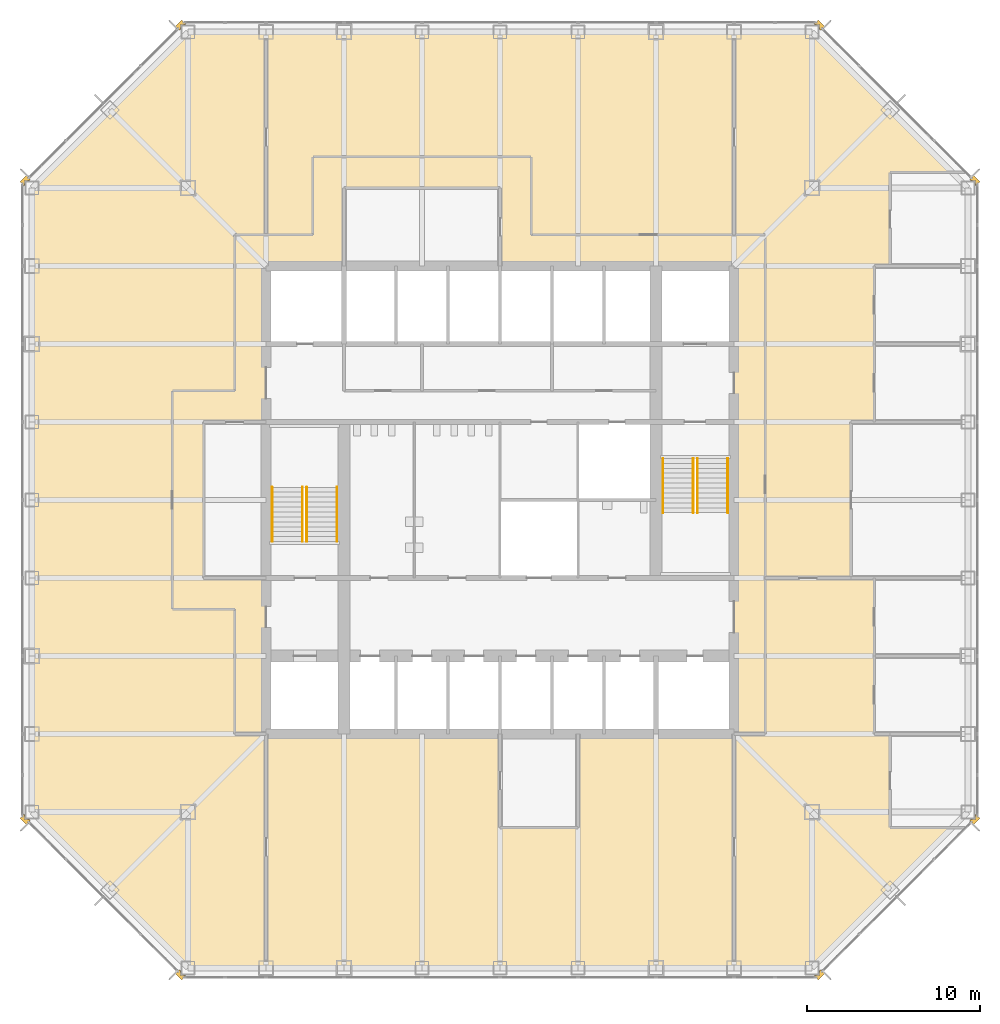
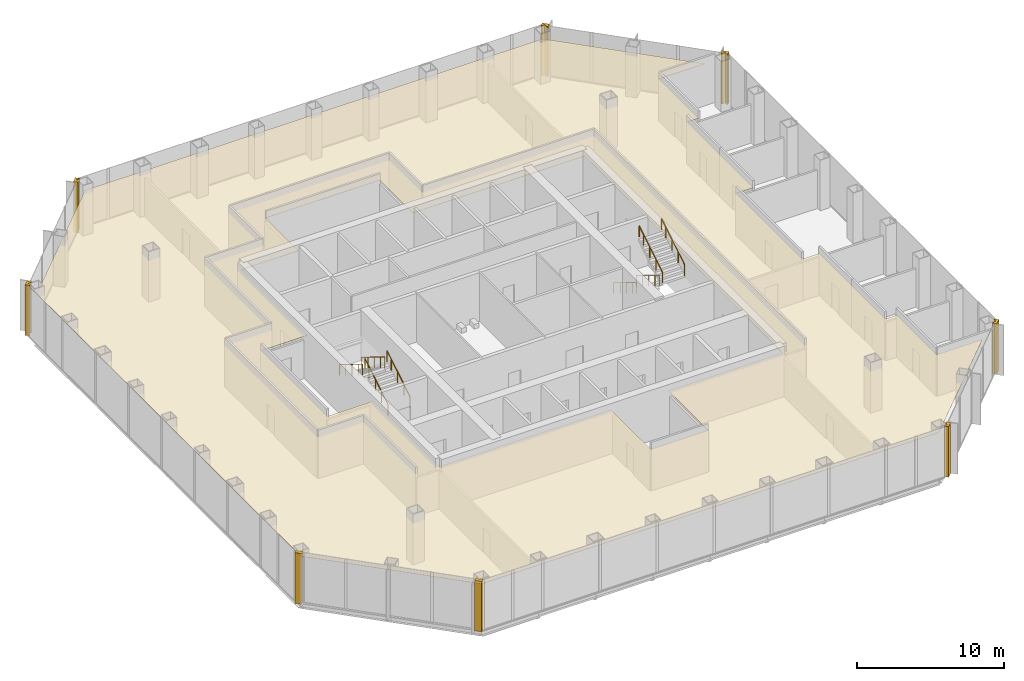
# One storey, part 11 of 12: 9 coverings, 8 railings.
"""IFC4 building model written with IfcOpenShell, lengths in metres."""

import ifcopenshell
import ifcopenshell.guid

model = None  # the IFC model being written
_history = None  # IfcOwnerHistory: only IFC2X3 demands one
_inside = {}  # id of a spatial element -> (the spatial element, [elements in it])
_under = {}  # id of a project, library or spatial element -> (it, [spatial elements below it])
_declared = {}  # id of a project -> (the project, [libraries it declares])
_typed = {}  # id of a type object -> (the type object, [elements of that type])
_made_of = {}  # id of a material, layer set ... -> (it, [elements and type objects made of it])


def new_model(schema):
    """Start an empty IFC model of exactly this schema.

    Asked for "IFC4X3", IfcOpenShell would pick the latest addendum, in which some entities
    have other attributes; the version numbers below select the first issue.
    IFC2X3 requires an IfcOwnerHistory on every rooted entity: one is made here for all.
    """
    global model, _history
    if schema == "IFC4X3":
        model = ifcopenshell.file(schema_version=(4, 3, 0, 0))
    else:
        model = ifcopenshell.file(schema=schema)
    _inside.clear()
    _under.clear()
    _declared.clear()
    _typed.clear()
    _made_of.clear()
    _history = None
    if model.schema == "IFC2X3":
        org = make("IfcOrganization", Name="unknown")
        user = make(
            "IfcPersonAndOrganization",
            ThePerson=make("IfcPerson", FamilyName="unknown"),
            TheOrganization=org,
        )
        app = make(
            "IfcApplication",
            ApplicationDeveloper=org,
            Version="unknown",
            ApplicationFullName="unknown",
            ApplicationIdentifier="unknown",
        )
        _history = make(
            "IfcOwnerHistory",
            OwningUser=user,
            OwningApplication=app,
            ChangeAction="ADDED",
            CreationDate=0,
        )
    return model


def make(cls, **values):
    """One entity of the class cls with the attributes given. An attribute that is None is left unset."""
    return model.create_entity(
        cls, **{name: value for name, value in values.items() if value is not None}
    )


def rooted(cls, **values):
    """An entity with a GlobalId (a new one), such as an element, a storey or a relation."""
    return make(cls, GlobalId=ifcopenshell.guid.new(), OwnerHistory=_history, **values)


def si_unit(unit_type, name, prefix=None):
    """IfcSIUnit, for example si_unit("LENGTHUNIT", "METRE", prefix="MILLI")."""
    return make("IfcSIUnit", UnitType=unit_type, Prefix=prefix, Name=name)


def assignment(units):
    """IfcUnitAssignment: the units of a project."""
    return None if units is None else make("IfcUnitAssignment", Units=units)


def point(xyz):
    """IfcCartesianPoint."""
    return None if xyz is None else make("IfcCartesianPoint", Coordinates=xyz)


def direction(xyz):
    """IfcDirection."""
    return None if xyz is None else make("IfcDirection", DirectionRatios=xyz)


def frame(location, z_axis=None, x_axis=None):
    """IfcAxis2Placement3D, a coordinate frame: its origin and axes. An axis left out is left unset."""
    return make(
        "IfcAxis2Placement3D",
        Location=point(location),
        Axis=direction(z_axis),
        RefDirection=direction(x_axis),
    )


def frame_2d(location, x_axis=None):
    """IfcAxis2Placement2D, a coordinate frame in the plane: its origin and x axis."""
    return make(
        "IfcAxis2Placement2D", Location=point(location), RefDirection=direction(x_axis)
    )


def origin():
    """The frame at (0, 0, 0) with its axes left unset."""
    return frame((0.0, 0.0, 0.0))


def origin_2d():
    """The frame at (0, 0) in the plane with its x axis left unset."""
    return frame_2d((0.0, 0.0))


def place(relative_to, where):
    """IfcLocalPlacement: puts the frame where relative to a parent placement (None: the world)."""
    return make(
        "IfcLocalPlacement", PlacementRelTo=relative_to, RelativePlacement=where
    )


def context(
    kind, dimensions, precision=None, world=None, true_north=None, identifier=None
):
    """IfcGeometricRepresentationContext, for example the 3D "Model" context."""
    return make(
        "IfcGeometricRepresentationContext",
        ContextIdentifier=identifier,
        ContextType=kind,
        CoordinateSpaceDimension=dimensions,
        Precision=precision,
        WorldCoordinateSystem=world,
        TrueNorth=true_north,
    )


def subcontext(parent, identifier, kind, view, scale=None):
    """IfcGeometricRepresentationSubContext, for example "Body" below "Model"."""
    return make(
        "IfcGeometricRepresentationSubContext",
        ContextIdentifier=identifier,
        ContextType=kind,
        ParentContext=parent,
        TargetScale=scale,
        TargetView=view,
    )


def project(units=None, contexts=None):
    """IfcProject with its units and contexts."""
    return rooted(
        "IfcProject",
        Name="project",
        RepresentationContexts=contexts,
        UnitsInContext=assignment(units),
    )


def spatial(cls, under=None, at=None, **own):
    """A site, building, storey or space (cls), placed at a placement, below another one or the project."""
    s = rooted(cls, ObjectPlacement=at, **own)
    if under is not None:
        _under.setdefault(under.id(), (under, []))[1].append(s)
    return s


def polyline(points):
    """IfcPolyline through the points."""
    return make("IfcPolyline", Points=[point(p) for p in points])


def profile(cls, at=None, kind="AREA", **sizes):
    """A parametric profile (cls). Its sizes go by their IFC names, for example OverallWidth=200.0."""
    return make(cls, ProfileType=kind, Position=at, **sizes)


def circle(**sizes):
    """IfcCircleProfileDef."""
    return profile("IfcCircleProfileDef", **sizes)


def outline(outer, holes=None, kind="AREA"):
    """IfcArbitraryClosedProfileDef: a profile drawn as a closed curve; with holes, ...WithVoids."""
    if holes is None:
        return make("IfcArbitraryClosedProfileDef", ProfileType=kind, OuterCurve=outer)
    return make(
        "IfcArbitraryProfileDefWithVoids",
        ProfileType=kind,
        OuterCurve=outer,
        InnerCurves=holes,
    )


def extrude(swept, where, along, depth):
    """IfcExtrudedAreaSolid: the profile swept, set in the frame where, extruded along a direction by depth."""
    return make(
        "IfcExtrudedAreaSolid",
        SweptArea=swept,
        Position=where,
        ExtrudedDirection=direction(along),
        Depth=depth,
    )


def shape(context_of_items, identifier, shape_type, items):
    """IfcShapeRepresentation: the items that make up one representation, for example the "Body"."""
    return make(
        "IfcShapeRepresentation",
        ContextOfItems=context_of_items,
        RepresentationIdentifier=identifier,
        RepresentationType=shape_type,
        Items=items,
    )


def material(Name=None, Category=None):
    """IfcMaterial."""
    return make("IfcMaterial", Name=Name, Category=Category)


def layer(
    of_material, thickness, ventilated=None, Name=None, Category=None, Priority=None
):
    """IfcMaterialLayer: one layer of a wall or slab, of a material (None: an air gap)."""
    return make(
        "IfcMaterialLayer",
        Material=of_material,
        LayerThickness=thickness,
        IsVentilated=ventilated,
        Name=Name,
        Category=Category,
        Priority=Priority,
    )


def layer_set(layers, Name=None):
    """IfcMaterialLayerSet."""
    return make("IfcMaterialLayerSet", MaterialLayers=layers, LayerSetName=Name)


def made_of(thing, what):
    """Note that an element or type object is made of a material, layer set ...; save() writes the relation."""
    if what is not None:
        _made_of.setdefault(what.id(), (what, []))[1].append(thing)
    return thing


def type_object(cls, material=None, **own):
    """A type object (cls), such as IfcWallType, which elements share."""
    return made_of(rooted(cls, **own), material)


def element(
    cls,
    number,
    at=None,
    inside=None,
    cuts=None,
    type_object=None,
    material=None,
    context=None,
    identifier="Body",
    shape_type=None,
    held_by="IfcProductDefinitionShape",
    body=None,
    shapes=None,
    **own,
):
    """One element of the class cls, such as IfcWall. Its Tag is "e" and its number.

    at: its placement. inside: the storey or other place that contains it. cuts: it is an
    opening in that element (IfcRelVoidsElement). A single representation is given by context,
    identifier, shape_type and body (its items); several are given by shapes. held_by: the class
    of the entity that holds the representations. save() writes the other relations.
    """
    e = rooted(cls, Tag="e%d" % number, ObjectPlacement=at, **own)
    if body is not None:
        shapes = [shape(context, identifier, shape_type, body)]
    if shapes is not None:
        e.Representation = make(held_by, Representations=shapes)
    if inside is not None:
        _inside.setdefault(inside.id(), (inside, []))[1].append(e)
    if cuts is not None:
        rooted(
            "IfcRelVoidsElement", RelatingBuildingElement=cuts, RelatedOpeningElement=e
        )
    if type_object is not None:
        _typed.setdefault(type_object.id(), (type_object, []))[1].append(e)
    return made_of(e, material)


def aggregate(whole, parts):
    """IfcRelAggregates: a whole, such as a stair, and the parts it consists of."""
    return rooted("IfcRelAggregates", RelatingObject=whole, RelatedObjects=parts)


def save(model, path):
    """Write the relations noted so far, then the file.

    IfcRelAggregates (storeys below a building ...), IfcRelContainedInSpatialStructure (elements
    in a storey), IfcRelDefinesByType, IfcRelAssociatesMaterial and IfcRelDeclares: one each for
    every whole, place, type object, material and project.
    """
    for whole, parts in _under.values():
        aggregate(whole, parts)
    for where, things in _inside.values():
        rooted(
            "IfcRelContainedInSpatialStructure",
            RelatedElements=things,
            RelatingStructure=where,
        )
    for kind, things in _typed.values():
        rooted("IfcRelDefinesByType", RelatedObjects=things, RelatingType=kind)
    for what, things in _made_of.values():
        rooted("IfcRelAssociatesMaterial", RelatedObjects=things, RelatingMaterial=what)
    for by, libraries in _declared.values():
        rooted("IfcRelDeclares", RelatingContext=by, RelatedDefinitions=libraries)
    model.write(path)


model = new_model("IFC4")

# Units and contexts
model_context = context("Model", 3, precision=1e-05, world=origin(), true_north=direction((0.0, 1.0)))
body_context = subcontext(model_context, "Body", "Model", "MODEL_VIEW")
ifc_project = project(units=[si_unit("LENGTHUNIT", "METRE"), si_unit("AREAUNIT", "SQUARE_METRE"), si_unit("VOLUMEUNIT", "CUBIC_METRE"), si_unit("PLANEANGLEUNIT", "RADIAN"), si_unit("MASSUNIT", "GRAM", prefix="KILO")], contexts=[model_context])

# Site, building, storey
site_placement = place(None, origin())
site = spatial("IfcSite", under=ifc_project, at=site_placement, CompositionType="ELEMENT")
building_placement = place(site_placement, origin())
building = spatial("IfcBuilding", under=site, at=building_placement, Name="Corais Broadcast Tower", CompositionType="ELEMENT")
storey_placement = place(building_placement, frame((0.0, 0.0, 71.0)))
storey = spatial("IfcBuildingStorey", under=building, at=storey_placement, Name="L15", CompositionType="ELEMENT", Elevation=71.0)

# Railings
ifc_material_1 = material(Name="Stainless steel handrail", Category="steel")
railing_type = type_object("IfcRailingType", Name="Handrail 920", PredefinedType="HANDRAIL", material=ifc_material_1)
for number, where, name in (
    (1, (17.60009765625, 24.60009765625, 0.175048828125), "HR1 L15"),
    (2, (15.85009765625, 24.60009765625, 0.175048828125), "HR1 L15"),
):
    element("IfcRailing", number, at=place(storey_placement, frame(where)), inside=storey, type_object=railing_type, Name=name, PredefinedType="HANDRAIL", context=body_context, shape_type="SweptSolid", body=[
        extrude(circle(Radius=0.02392578125, at=origin_2d()), frame((0.0, 0.0, 0.89599609375), z_axis=(0.0, 0.852166034122, 0.523271488128), x_axis=(-1.0, 0.0, 0.0)), (0.0, 0.0, 1.0), 3.678955078125),
        extrude(circle(Radius=0.02099609375, at=origin_2d()), origin(), (0.0, 0.0, 1.0), 0.871826171875),
        extrude(circle(Radius=0.02099609375, at=origin_2d()), frame((0.0, 0.85498046875, 0.52490234375)), (0.0, 0.0, 1.0), 0.871826171875),
        extrude(circle(Radius=0.02099609375, at=origin_2d()), frame((0.0, 1.7099609375, 1.050048828125)), (0.0, 0.0, 1.0), 0.871826171875),
        extrude(circle(Radius=0.02099609375, at=origin_2d()), frame((0.0, 2.56494140625, 1.574951171875)), (0.0, 0.0, 1.0), 0.871826171875),
        extrude(circle(Radius=0.02099609375, at=origin_2d()), frame((0.0, 3.135009765625, 1.925048828125)), (0.0, 0.0, 1.0), 0.871826171875),
    ])
for number, where, name in (
    (3, (13.85009765625, 27.735107421875, 2.27490234375), "HR1 L15"),
    (4, (15.60009765625, 27.735107421875, 2.27490234375), "HR1 L15"),
    (5, (36.39990234375, 29.39990234375, 0.175048828125), "HR1 L15"),
    (6, (38.14990234375, 29.39990234375, 0.175048828125), "HR1 L15"),
):
    element("IfcRailing", number, at=place(storey_placement, frame(where)), inside=storey, type_object=railing_type, Name=name, PredefinedType="HANDRAIL", context=body_context, shape_type="SweptSolid", body=[
        extrude(circle(Radius=0.02392578125, at=origin_2d()), frame((0.0, 0.0, 0.89599609375), z_axis=(0.0, -0.852166034122, 0.523271488128), x_axis=(1.0, 0.0, 0.0)), (0.0, 0.0, 1.0), 3.678955078125),
        extrude(circle(Radius=0.02099609375, at=origin_2d()), origin(), (0.0, 0.0, 1.0), 0.871826171875),
        extrude(circle(Radius=0.02099609375, at=origin_2d()), frame((0.0, -0.85498046875, 0.52490234375)), (0.0, 0.0, 1.0), 0.871826171875),
        extrude(circle(Radius=0.02099609375, at=origin_2d()), frame((0.0, -1.7099609375, 1.050048828125)), (0.0, 0.0, 1.0), 0.871826171875),
        extrude(circle(Radius=0.02099609375, at=origin_2d()), frame((0.0, -2.56494140625, 1.574951171875)), (0.0, 0.0, 1.0), 0.871826171875),
        extrude(circle(Radius=0.02099609375, at=origin_2d()), frame((0.0, -3.135009765625, 1.925048828125)), (0.0, 0.0, 1.0), 0.871826171875),
    ])
for number, where, name in (
    (7, (40.14990234375, 26.264892578125, 2.27490234375), "HR1 L15"),
    (8, (38.39990234375, 26.264892578125, 2.27490234375), "HR1 L15"),
):
    element("IfcRailing", number, at=place(storey_placement, frame(where)), inside=storey, type_object=railing_type, Name=name, PredefinedType="HANDRAIL", context=body_context, shape_type="SweptSolid", body=[
        extrude(circle(Radius=0.02392578125, at=origin_2d()), frame((0.0, 0.0, 0.89599609375), z_axis=(0.0, 0.852166034122, 0.523271488128), x_axis=(-1.0, 0.0, 0.0)), (0.0, 0.0, 1.0), 3.678955078125),
        extrude(circle(Radius=0.02099609375, at=origin_2d()), origin(), (0.0, 0.0, 1.0), 0.871826171875),
        extrude(circle(Radius=0.02099609375, at=origin_2d()), frame((0.0, 0.85498046875, 0.52490234375)), (0.0, 0.0, 1.0), 0.871826171875),
        extrude(circle(Radius=0.02099609375, at=origin_2d()), frame((0.0, 1.7099609375, 1.050048828125)), (0.0, 0.0, 1.0), 0.871826171875),
        extrude(circle(Radius=0.02099609375, at=origin_2d()), frame((0.0, 2.56494140625, 1.574951171875)), (0.0, 0.0, 1.0), 0.871826171875),
        extrude(circle(Radius=0.02099609375, at=origin_2d()), frame((0.0, 3.135009765625, 1.925048828125)), (0.0, 0.0, 1.0), 0.871826171875),
    ])

# Coverings
ifc_material_2 = material(Name="Granite stone cladding", Category="masonry")
ifc_layer_1 = layer(ifc_material_2, 0.324951171875)
ifc_layer_set_1 = layer_set([ifc_layer_1], Name="Granite stone cladding")
covering_type_1 = type_object("IfcCoveringType", Name="Stone corner pier cladding 500x325", PredefinedType="CLADDING", material=ifc_layer_set_1)
covering_1_placement = place(storey_placement, origin())
element("IfcCovering", 9, at=covering_1_placement, inside=storey, type_object=covering_type_1, Name="SP1 stone corner pier L15", PredefinedType="CLADDING", context=body_context, shape_type="SweptSolid", body=[
    extrude(outline(polyline([(8.860595703125, -0.461669921875), (8.823974609375, -0.425048828125), (8.574951171875, -0.425048828125), (8.574951171875, -0.176025390625), (8.507080078125, -0.108154296875), (8.277099609375, -0.337890625), (8.630859375, -0.69140625), (8.860595703125, -0.461669921875)])), origin(), (0.0, 0.0, 1.0), 4.199951171875),
])
covering_2_placement = place(storey_placement, origin())
element("IfcCovering", 10, at=covering_2_placement, inside=storey, type_object=covering_type_1, Name="SP1 stone corner pier L15", PredefinedType="CLADDING", context=body_context, shape_type="SweptSolid", body=[
    extrude(outline(polyline([(-0.425048828125, 8.823974609375), (-0.461669921875, 8.860595703125), (-0.69140625, 8.630859375), (-0.337890625, 8.277099609375), (-0.108154296875, 8.507080078125), (-0.176025390625, 8.574951171875), (-0.425048828125, 8.574951171875), (-0.425048828125, 8.823974609375)])), origin(), (0.0, 0.0, 1.0), 4.199951171875),
])
covering_3_placement = place(storey_placement, origin())
element("IfcCovering", 11, at=covering_3_placement, inside=storey, type_object=covering_type_1, Name="SP1 stone corner pier L15", PredefinedType="CLADDING", context=body_context, shape_type="SweptSolid", body=[
    extrude(outline(polyline([(-0.461669921875, 45.139404296875), (-0.425048828125, 45.176025390625), (-0.425048828125, 45.425048828125), (-0.176025390625, 45.425048828125), (-0.108154296875, 45.492919921875), (-0.337890625, 45.722900390625), (-0.69140625, 45.369140625), (-0.461669921875, 45.139404296875)])), origin(), (0.0, 0.0, 1.0), 4.199951171875),
])
covering_4_placement = place(storey_placement, origin())
element("IfcCovering", 12, at=covering_4_placement, inside=storey, type_object=covering_type_1, Name="SP1 stone corner pier L15", PredefinedType="CLADDING", context=body_context, shape_type="SweptSolid", body=[
    extrude(outline(polyline([(8.823974609375, 54.425048828125), (8.860595703125, 54.461669921875), (8.630859375, 54.69140625), (8.277099609375, 54.337890625), (8.507080078125, 54.108154296875), (8.574951171875, 54.176025390625), (8.574951171875, 54.425048828125), (8.823974609375, 54.425048828125)])), origin(), (0.0, 0.0, 1.0), 4.199951171875),
])
covering_5_placement = place(storey_placement, origin())
element("IfcCovering", 13, at=covering_5_placement, inside=storey, type_object=covering_type_1, Name="SP1 stone corner pier L15", PredefinedType="CLADDING", context=body_context, shape_type="SweptSolid", body=[
    extrude(outline(polyline([(45.139404296875, 54.461669921875), (45.176025390625, 54.425048828125), (45.425048828125, 54.425048828125), (45.425048828125, 54.176025390625), (45.492919921875, 54.108154296875), (45.722900390625, 54.337890625), (45.369140625, 54.69140625), (45.139404296875, 54.461669921875)])), origin(), (0.0, 0.0, 1.0), 4.199951171875),
])
covering_6_placement = place(storey_placement, origin())
element("IfcCovering", 14, at=covering_6_placement, inside=storey, type_object=covering_type_1, Name="SP1 stone corner pier L15", PredefinedType="CLADDING", context=body_context, shape_type="SweptSolid", body=[
    extrude(outline(polyline([(54.425048828125, 45.176025390625), (54.461669921875, 45.139404296875), (54.69140625, 45.369140625), (54.337890625, 45.722900390625), (54.108154296875, 45.492919921875), (54.176025390625, 45.425048828125), (54.425048828125, 45.425048828125), (54.425048828125, 45.176025390625)])), origin(), (0.0, 0.0, 1.0), 4.199951171875),
])
covering_7_placement = place(storey_placement, origin())
element("IfcCovering", 15, at=covering_7_placement, inside=storey, type_object=covering_type_1, Name="SP1 stone corner pier L15", PredefinedType="CLADDING", context=body_context, shape_type="SweptSolid", body=[
    extrude(outline(polyline([(54.461669921875, 8.860595703125), (54.425048828125, 8.823974609375), (54.425048828125, 8.574951171875), (54.176025390625, 8.574951171875), (54.108154296875, 8.507080078125), (54.337890625, 8.277099609375), (54.69140625, 8.630859375), (54.461669921875, 8.860595703125)])), origin(), (0.0, 0.0, 1.0), 4.199951171875),
])
covering_8_placement = place(storey_placement, origin())
element("IfcCovering", 16, at=covering_8_placement, inside=storey, type_object=covering_type_1, Name="SP1 stone corner pier L15", PredefinedType="CLADDING", context=body_context, shape_type="SweptSolid", body=[
    extrude(outline(polyline([(45.176025390625, -0.425048828125), (45.139404296875, -0.461669921875), (45.369140625, -0.69140625), (45.722900390625, -0.337890625), (45.492919921875, -0.108154296875), (45.425048828125, -0.176025390625), (45.425048828125, -0.425048828125), (45.176025390625, -0.425048828125)])), origin(), (0.0, 0.0, 1.0), 4.199951171875),
])
ifc_material_3 = material(Name="Mineral fibre ceiling tile", Category="mineral")
ifc_layer_2 = layer(ifc_material_3, 0.02001953125)
ifc_layer_set_2 = layer_set([ifc_layer_2], Name="Mineral fibre ceiling tile")
covering_type_2 = type_object("IfcCoveringType", Name="Suspended ceiling", PredefinedType="CEILING", material=ifc_layer_set_2)
covering_9_placement = place(storey_placement, frame((0.0, 0.0, 3.419921875)))
element("IfcCovering", 17, at=covering_9_placement, inside=storey, type_object=covering_type_2, Name="CE1 ceiling L15", PredefinedType="CEILING", context=body_context, shape_type="SweptSolid", body=[
    extrude(outline(polyline([(48.60009765625, 22.5), (48.60009765625, 13.5), (49.5, 13.5), (49.5, 8.10009765625), (53.10009765625, 8.10009765625), (45.0, 0.0), (9.0, 0.0), (0.0, 9.0), (0.0, 45.0), (9.0, 54.0), (45.0, 54.0), (53.10009765625, 45.89990234375), (49.5, 45.89990234375), (49.5, 40.5), (48.60009765625, 40.5), (48.60009765625, 31.5), (47.25, 31.5), (47.25, 22.5), (48.60009765625, 22.5)]), holes=[polyline([(27.0, 13.5), (27.0, 8.10009765625), (31.5, 8.10009765625), (31.5, 13.5), (40.5, 13.5), (40.5, 40.5), (27.0, 40.5), (27.0, 45.0), (18.0, 45.0), (18.0, 40.5), (13.5, 40.5), (13.5, 31.5), (9.89990234375, 31.5), (9.89990234375, 22.5), (13.5, 22.5), (13.5, 13.5), (27.0, 13.5)])]), origin(), (0.0, 0.0, 1.0), 0.02001953125),
])

save(model, "model.ifc")
